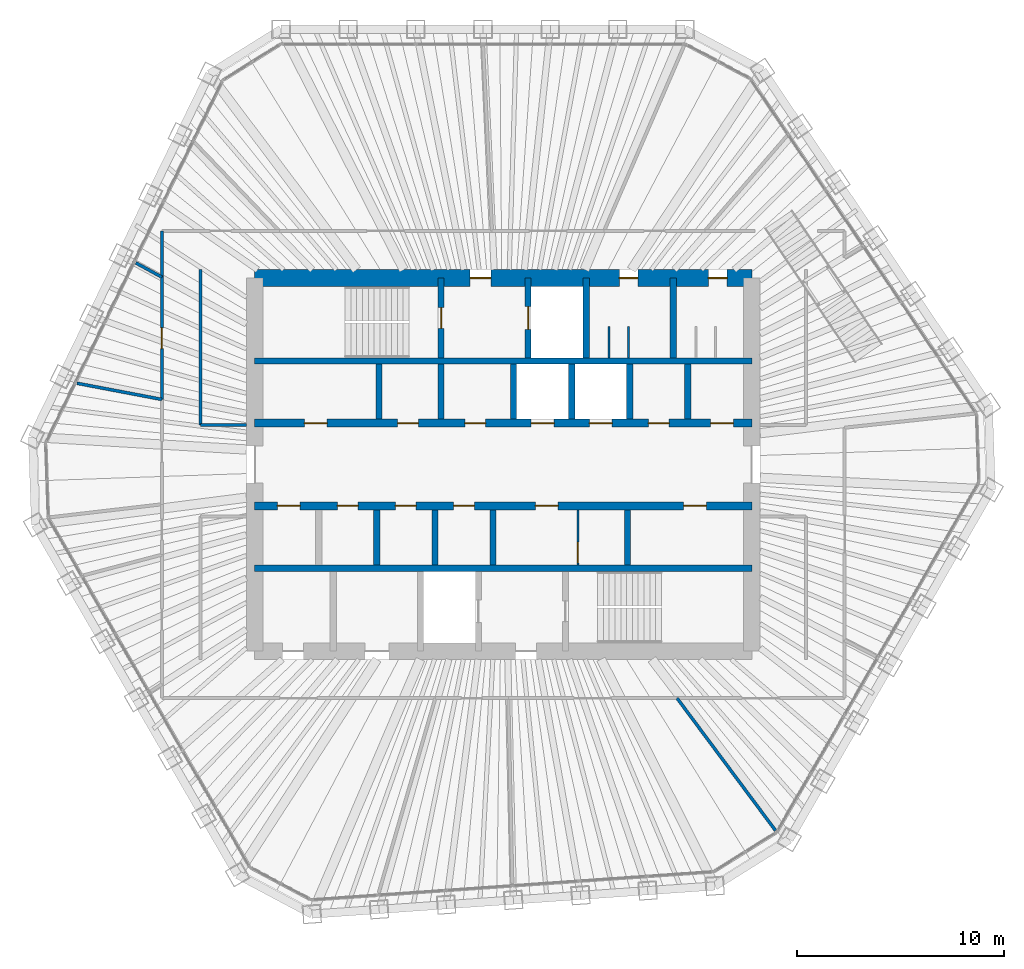
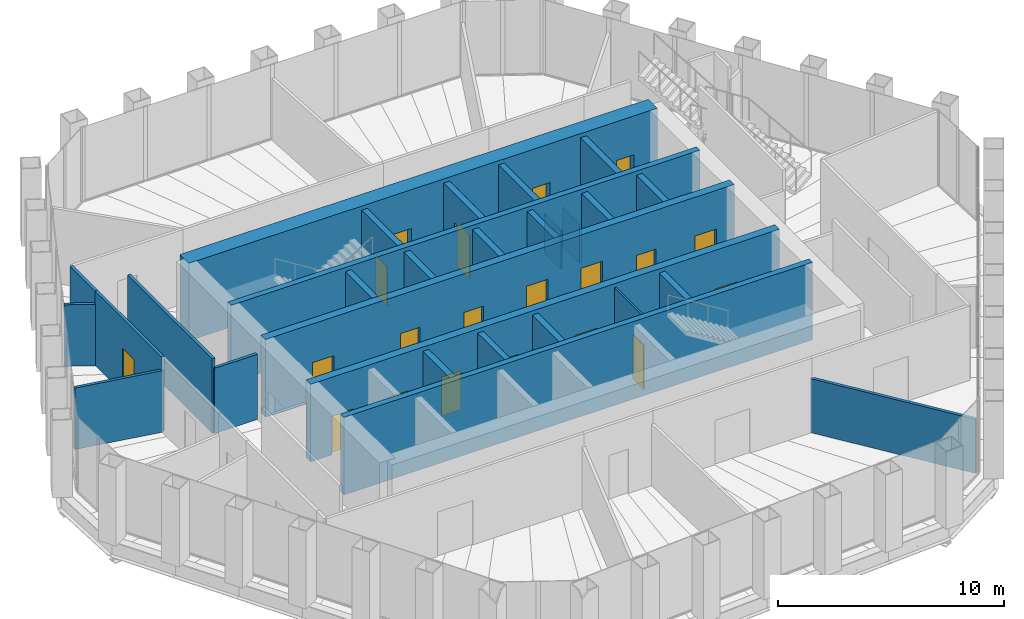
# One storey, part 12 of 14: 29 walls, 20 doors, 20 openings.
"""IFC4 building model written with IfcOpenShell, lengths in metres."""

from ifc_helpers import new_model, si_unit, direction, frame, frame_2d, origin, place, context, subcontext, project, spatial, rectangle, extrude, material, layer, layer_set, type_object, element, fill, save


model = new_model("IFC4")

# Units and contexts
model_context = context("Model", 3, precision=1e-05, world=origin(), true_north=direction((0.0, 1.0)))
body_context = subcontext(model_context, "Body", "Model", "MODEL_VIEW")
ifc_project = project(units=[si_unit("LENGTHUNIT", "METRE"), si_unit("AREAUNIT", "SQUARE_METRE"), si_unit("VOLUMEUNIT", "CUBIC_METRE"), si_unit("PLANEANGLEUNIT", "RADIAN"), si_unit("MASSUNIT", "GRAM", prefix="KILO")], contexts=[model_context])

# Site, building, storey
site_placement = place(None, origin())
site = spatial("IfcSite", under=ifc_project, at=site_placement, CompositionType="ELEMENT")
building_placement = place(site_placement, origin())
building = spatial("IfcBuilding", under=site, at=building_placement, Name="Qingtian Harvest Tower", CompositionType="ELEMENT")
storey_placement = place(building_placement, frame((0.0, 0.0, 325.0)))
storey = spatial("IfcBuildingStorey", under=building, at=storey_placement, Name="L72", CompositionType="ELEMENT", Elevation=325.0)

# Walls
ifc_material_1 = material(Name="Concrete fc' 70 MPa", Category="concrete")
ifc_layer_1 = layer(ifc_material_1, 0.300048828125)
ifc_layer_set_1 = layer_set([ifc_layer_1], Name="Core inner wall RC5 300")
wall_type_1 = type_object("IfcWallType", Name="Core inner wall RC5 300", PredefinedType="SHEAR", material=ifc_layer_set_1)
for number, where, z_axis, x_axis, name in (
    (1, (-12.0, 5.0, 0.0), (0.0, 0.0, 1.0), (1.0, 0.0, 0.0), "Core wall IN5 L72"),
    (2, (-12.0, -5.0, 0.0), (0.0, 0.0, 1.0), (1.0, 0.0, 0.0), "Core wall IS5 L72"),
):
    element("IfcWall", number, at=place(storey_placement, frame(where, z_axis=z_axis, x_axis=x_axis)), inside=storey, type_object=wall_type_1, Name=name, PredefinedType="SHEAR", context=body_context, shape_type="SweptSolid", body=[
        extrude(rectangle(XDim=24.0, YDim=0.300048828125, at=frame_2d((12.0, 0.0))), origin(), (0.0, 0.0, 1.0), 4.199951171875),
    ])

# Wall, openings, doors
ifc_material_2 = material(Name="Concrete fc' 70 MPa", Category="concrete")
ifc_layer_2 = layer(ifc_material_2, 0.39990234375)
ifc_layer_set_2 = layer_set([ifc_layer_2], Name="Core inner web RC6 400")
wall_type_2 = type_object("IfcWallType", Name="Core inner web RC6 400", PredefinedType="SHEAR", material=ifc_layer_set_2)
wall_1_placement = place(storey_placement, frame((-12.0, 2.0, 0.0), z_axis=(0.0, 0.0, 1.0), x_axis=(1.0, 0.0, 0.0)))
wall_1 = element("IfcWall", 3, at=wall_1_placement, inside=storey, type_object=wall_type_2, Name="Core wall IN2 L72", PredefinedType="SHEAR", context=body_context, shape_type="SweptSolid", body=[
    extrude(rectangle(XDim=24.0, YDim=0.39990234375, at=frame_2d((12.0, 0.0))), origin(), (0.0, 0.0, 1.0), 4.199951171875),
])
opening_1_placement = place(wall_1_placement, frame((2.39990234375, 0.0, 0.0)))
opening_1 = element("IfcOpeningElement", 4, at=opening_1_placement, cuts=wall_1, Name="Opening FD4", PredefinedType="OPENING", context=body_context, shape_type="SweptSolid", body=[
    extrude(rectangle(XDim=1.10009765625, YDim=2.10009765625, at=frame_2d((0.550048828125, 1.050048828125))), frame((0.0, 0.2099609375, 0.0), z_axis=(0.0, -1.0, 0.0), x_axis=(1.0, 0.0, 0.0)), (0.0, 0.0, 1.0), 0.419921875),
])
opening_2_placement = place(wall_1_placement, frame((22.0, 0.0, 0.0)))
opening_2 = element("IfcOpeningElement", 5, at=opening_2_placement, cuts=wall_1, Name="Opening FD4", PredefinedType="OPENING", context=body_context, shape_type="SweptSolid", body=[
    extrude(rectangle(XDim=1.10009765625, YDim=2.10009765625, at=frame_2d((0.550048828125, 1.050048828125))), frame((0.0, 0.2099609375, 0.0), z_axis=(0.0, -1.0, 0.0), x_axis=(1.0, 0.0, 0.0)), (0.0, 0.0, 1.0), 0.419921875),
])
opening_3_placement = place(wall_1_placement, frame((10.14990234375, 0.0, 0.0)))
opening_3 = element("IfcOpeningElement", 6, at=opening_3_placement, cuts=wall_1, Name="Opening FD1", PredefinedType="OPENING", context=body_context, shape_type="SweptSolid", body=[
    extrude(rectangle(XDim=1.0, YDim=2.10009765625, at=frame_2d((0.5, 1.050048828125))), frame((0.0, 0.2099609375, 0.0), z_axis=(0.0, -1.0, 0.0), x_axis=(1.0, 0.0, 0.0)), (0.0, 0.0, 1.0), 0.419921875),
])
opening_4_placement = place(wall_1_placement, frame((6.89990234375, 0.0, 0.0)))
opening_4 = element("IfcOpeningElement", 7, at=opening_4_placement, cuts=wall_1, Name="Opening FD1", PredefinedType="OPENING", context=body_context, shape_type="SweptSolid", body=[
    extrude(rectangle(XDim=1.0, YDim=2.10009765625, at=frame_2d((0.5, 1.050048828125))), frame((0.0, 0.2099609375, 0.0), z_axis=(0.0, -1.0, 0.0), x_axis=(1.0, 0.0, 0.0)), (0.0, 0.0, 1.0), 0.419921875),
])
opening_5_placement = place(wall_1_placement, frame((13.35009765625, 0.0, 0.0)))
opening_5 = element("IfcOpeningElement", 8, at=opening_5_placement, cuts=wall_1, Name="Opening LD1", PredefinedType="OPENING", context=body_context, shape_type="SweptSolid", body=[
    extrude(rectangle(XDim=1.10009765625, YDim=2.39990234375, at=frame_2d((0.550048828125, 1.199951171875))), frame((0.0, 0.2099609375, 0.0), z_axis=(0.0, -1.0, 0.0), x_axis=(1.0, 0.0, 0.0)), (0.0, 0.0, 1.0), 0.419921875),
])
opening_6_placement = place(wall_1_placement, frame((16.14990234375, 0.0, 0.0)))
opening_6 = element("IfcOpeningElement", 9, at=opening_6_placement, cuts=wall_1, Name="Opening LD1", PredefinedType="OPENING", context=body_context, shape_type="SweptSolid", body=[
    extrude(rectangle(XDim=1.10009765625, YDim=2.39990234375, at=frame_2d((0.550048828125, 1.199951171875))), frame((0.0, 0.2099609375, 0.0), z_axis=(0.0, -1.0, 0.0), x_axis=(1.0, 0.0, 0.0)), (0.0, 0.0, 1.0), 0.419921875),
])
opening_7_placement = place(wall_1_placement, frame((19.0, 0.0, 0.0)))
opening_7 = element("IfcOpeningElement", 10, at=opening_7_placement, cuts=wall_1, Name="Opening FD1", PredefinedType="OPENING", context=body_context, shape_type="SweptSolid", body=[
    extrude(rectangle(XDim=1.0, YDim=2.10009765625, at=frame_2d((0.5, 1.050048828125))), frame((0.0, 0.2099609375, 0.0), z_axis=(0.0, -1.0, 0.0), x_axis=(1.0, 0.0, 0.0)), (0.0, 0.0, 1.0), 0.419921875),
])
ifc_material_3 = material(Name="Steel-faced door leaf", Category="steel")
door_type_1 = type_object("IfcDoorType", Name="Fire door FD1 single 1 HR", OperationType="SINGLE_SWING_LEFT", PredefinedType="DOOR", material=ifc_material_3)
door_1_placement = place(opening_3_placement, origin())
door_1 = element("IfcDoor", 11, at=door_1_placement, inside=storey, type_object=door_type_1, Name="STA door L72", OperationType="SINGLE_SWING_RIGHT", OverallHeight=2.10009765625, OverallWidth=1.0, PredefinedType="DOOR", context=body_context, shape_type="SweptSolid", body=[
    extrude(rectangle(XDim=1.0, YDim=2.10009765625, at=frame_2d((0.5, 1.050048828125))), frame((0.0, 0.02490234375, 0.0), z_axis=(0.0, -1.0, 0.0), x_axis=(1.0, 0.0, 0.0)), (0.0, 0.0, 1.0), 0.050048828125),
])
fill(opening_3, door_1)
door_2_placement = place(opening_4_placement, origin())
door_2 = element("IfcDoor", 12, at=door_2_placement, inside=storey, type_object=door_type_1, Name="Store door L72", OperationType="SINGLE_SWING_LEFT", OverallHeight=2.10009765625, OverallWidth=1.0, PredefinedType="DOOR", context=body_context, shape_type="SweptSolid", body=[
    extrude(rectangle(XDim=1.0, YDim=2.10009765625, at=frame_2d((0.5, 1.050048828125))), frame((0.0, 0.02490234375, 0.0), z_axis=(0.0, -1.0, 0.0), x_axis=(1.0, 0.0, 0.0)), (0.0, 0.0, 1.0), 0.050048828125),
])
fill(opening_4, door_2)
door_3_placement = place(opening_7_placement, origin())
door_3 = element("IfcDoor", 13, at=door_3_placement, inside=storey, type_object=door_type_1, Name="Tool store door L72", OperationType="SINGLE_SWING_LEFT", OverallHeight=2.10009765625, OverallWidth=1.0, PredefinedType="DOOR", context=body_context, shape_type="SweptSolid", body=[
    extrude(rectangle(XDim=1.0, YDim=2.10009765625, at=frame_2d((0.5, 1.050048828125))), frame((0.0, 0.02490234375, 0.0), z_axis=(0.0, -1.0, 0.0), x_axis=(1.0, 0.0, 0.0)), (0.0, 0.0, 1.0), 0.050048828125),
])
fill(opening_7, door_3)
ifc_material_4 = material(Name="Steel-faced door leaf", Category="steel")
door_type_2 = type_object("IfcDoorType", Name="Fire door FD4 single 2 HR", OperationType="SINGLE_SWING_LEFT", PredefinedType="DOOR", material=ifc_material_4)
door_4_placement = place(opening_1_placement, origin())
door_4 = element("IfcDoor", 14, at=door_4_placement, inside=storey, type_object=door_type_2, Name="RA door L72", OperationType="SINGLE_SWING_RIGHT", OverallHeight=2.10009765625, OverallWidth=1.10009765625, PredefinedType="DOOR", context=body_context, shape_type="SweptSolid", body=[
    extrude(rectangle(XDim=1.10009765625, YDim=2.10009765625, at=frame_2d((0.550048828125, 1.050048828125))), frame((0.0, 0.02490234375, 0.0), z_axis=(0.0, -1.0, 0.0), x_axis=(1.0, 0.0, 0.0)), (0.0, 0.0, 1.0), 0.050048828125),
])
fill(opening_1, door_4)
door_5_placement = place(opening_2_placement, origin())
door_5 = element("IfcDoor", 15, at=door_5_placement, inside=storey, type_object=door_type_2, Name="AHU door L72", OperationType="SINGLE_SWING_LEFT", OverallHeight=2.10009765625, OverallWidth=1.10009765625, PredefinedType="DOOR", context=body_context, shape_type="SweptSolid", body=[
    extrude(rectangle(XDim=1.10009765625, YDim=2.10009765625, at=frame_2d((0.550048828125, 1.050048828125))), frame((0.0, 0.02490234375, 0.0), z_axis=(0.0, -1.0, 0.0), x_axis=(1.0, 0.0, 0.0)), (0.0, 0.0, 1.0), 0.050048828125),
])
fill(opening_2, door_5)
ifc_material_5 = material(Name="Stainless steel lift landing door", Category="steel")
door_type_3 = type_object("IfcDoorType", Name="Lift landing door LD1 1 HR", OperationType="DOUBLE_DOOR_SLIDING", PredefinedType="DOOR", material=ifc_material_5)
door_6_placement = place(opening_5_placement, origin())
door_6 = element("IfcDoor", 16, at=door_6_placement, inside=storey, type_object=door_type_3, Name="PLD1 landing door L72", OperationType="DOUBLE_DOOR_SLIDING", OverallHeight=2.39990234375, OverallWidth=1.10009765625, PredefinedType="DOOR", context=body_context, shape_type="SweptSolid", body=[
    extrude(rectangle(XDim=1.10009765625, YDim=2.39990234375, at=frame_2d((0.550048828125, 1.199951171875))), frame((0.0, 0.02490234375, 0.0), z_axis=(0.0, -1.0, 0.0), x_axis=(1.0, 0.0, 0.0)), (0.0, 0.0, 1.0), 0.050048828125),
])
fill(opening_5, door_6)
door_7_placement = place(opening_6_placement, origin())
door_7 = element("IfcDoor", 17, at=door_7_placement, inside=storey, type_object=door_type_3, Name="PLD2 landing door L72", OperationType="DOUBLE_DOOR_SLIDING", OverallHeight=2.39990234375, OverallWidth=1.10009765625, PredefinedType="DOOR", context=body_context, shape_type="SweptSolid", body=[
    extrude(rectangle(XDim=1.10009765625, YDim=2.39990234375, at=frame_2d((0.550048828125, 1.199951171875))), frame((0.0, 0.02490234375, 0.0), z_axis=(0.0, -1.0, 0.0), x_axis=(1.0, 0.0, 0.0)), (0.0, 0.0, 1.0), 0.050048828125),
])
fill(opening_6, door_7)

wall_2_placement = place(storey_placement, frame((-12.0, -2.0, 0.0), z_axis=(0.0, 0.0, 1.0), x_axis=(1.0, 0.0, 0.0)))
wall_2 = element("IfcWall", 18, at=wall_2_placement, inside=storey, type_object=wall_type_2, Name="Core wall IS2 L72", PredefinedType="SHEAR", context=body_context, shape_type="SweptSolid", body=[
    extrude(rectangle(XDim=24.0, YDim=0.39990234375, at=frame_2d((12.0, 0.0))), origin(), (0.0, 0.0, 1.0), 4.199951171875),
])
opening_8_placement = place(wall_2_placement, frame((1.10009765625, 0.0, 0.0)))
opening_8 = element("IfcOpeningElement", 19, at=opening_8_placement, cuts=wall_2, Name="Opening FD4", PredefinedType="OPENING", context=body_context, shape_type="SweptSolid", body=[
    extrude(rectangle(XDim=1.10009765625, YDim=2.10009765625, at=frame_2d((0.550048828125, 1.050048828125))), frame((0.0, 0.2099609375, 0.0), z_axis=(0.0, -1.0, 0.0), x_axis=(1.0, 0.0, 0.0)), (0.0, 0.0, 1.0), 0.419921875),
])
opening_9_placement = place(wall_2_placement, frame((13.550048828125, 0.0, 0.0)))
opening_9 = element("IfcOpeningElement", 20, at=opening_9_placement, cuts=wall_2, Name="Opening FD4", PredefinedType="OPENING", context=body_context, shape_type="SweptSolid", body=[
    extrude(rectangle(XDim=1.10009765625, YDim=2.10009765625, at=frame_2d((0.550048828125, 1.050048828125))), frame((0.0, 0.2099609375, 0.0), z_axis=(0.0, -1.0, 0.0), x_axis=(1.0, 0.0, 0.0)), (0.0, 0.0, 1.0), 0.419921875),
])
opening_10_placement = place(wall_2_placement, frame((20.699951171875, 0.0, 0.0)))
opening_10 = element("IfcOpeningElement", 21, at=opening_10_placement, cuts=wall_2, Name="Opening FD4", PredefinedType="OPENING", context=body_context, shape_type="SweptSolid", body=[
    extrude(rectangle(XDim=1.10009765625, YDim=2.10009765625, at=frame_2d((0.550048828125, 1.050048828125))), frame((0.0, 0.2099609375, 0.0), z_axis=(0.0, -1.0, 0.0), x_axis=(1.0, 0.0, 0.0)), (0.0, 0.0, 1.0), 0.419921875),
])
opening_11_placement = place(wall_2_placement, frame((4.0, 0.0, 0.0)))
opening_11 = element("IfcOpeningElement", 22, at=opening_11_placement, cuts=wall_2, Name="Opening FD1", PredefinedType="OPENING", context=body_context, shape_type="SweptSolid", body=[
    extrude(rectangle(XDim=1.0, YDim=2.10009765625, at=frame_2d((0.5, 1.050048828125))), frame((0.0, 0.2099609375, 0.0), z_axis=(0.0, -1.0, 0.0), x_axis=(1.0, 0.0, 0.0)), (0.0, 0.0, 1.0), 0.419921875),
])
opening_12_placement = place(wall_2_placement, frame((6.800048828125, 0.0, 0.0)))
opening_12 = element("IfcOpeningElement", 23, at=opening_12_placement, cuts=wall_2, Name="Opening FD1", PredefinedType="OPENING", context=body_context, shape_type="SweptSolid", body=[
    extrude(rectangle(XDim=1.0, YDim=2.10009765625, at=frame_2d((0.5, 1.050048828125))), frame((0.0, 0.2099609375, 0.0), z_axis=(0.0, -1.0, 0.0), x_axis=(1.0, 0.0, 0.0)), (0.0, 0.0, 1.0), 0.419921875),
])
opening_13_placement = place(wall_2_placement, frame((9.60009765625, 0.0, 0.0)))
opening_13 = element("IfcOpeningElement", 24, at=opening_13_placement, cuts=wall_2, Name="Opening FD1", PredefinedType="OPENING", context=body_context, shape_type="SweptSolid", body=[
    extrude(rectangle(XDim=1.0, YDim=2.10009765625, at=frame_2d((0.5, 1.050048828125))), frame((0.0, 0.2099609375, 0.0), z_axis=(0.0, -1.0, 0.0), x_axis=(1.0, 0.0, 0.0)), (0.0, 0.0, 1.0), 0.419921875),
])
door_8_placement = place(opening_11_placement, origin())
door_8 = element("IfcDoor", 25, at=door_8_placement, inside=storey, type_object=door_type_1, Name="Staff WC door L72", OperationType="SINGLE_SWING_LEFT", OverallHeight=2.10009765625, OverallWidth=1.0, PredefinedType="DOOR", context=body_context, shape_type="SweptSolid", body=[
    extrude(rectangle(XDim=1.0, YDim=2.10009765625, at=frame_2d((0.5, 1.050048828125))), frame((0.0, 0.02490234375, 0.0), z_axis=(0.0, -1.0, 0.0), x_axis=(1.0, 0.0, 0.0)), (0.0, 0.0, 1.0), 0.050048828125),
])
fill(opening_11, door_8)
door_9_placement = place(opening_12_placement, origin())
door_9 = element("IfcDoor", 26, at=door_9_placement, inside=storey, type_object=door_type_1, Name="Tea point door L72", OperationType="SINGLE_SWING_LEFT", OverallHeight=2.10009765625, OverallWidth=1.0, PredefinedType="DOOR", context=body_context, shape_type="SweptSolid", body=[
    extrude(rectangle(XDim=1.0, YDim=2.10009765625, at=frame_2d((0.5, 1.050048828125))), frame((0.0, 0.02490234375, 0.0), z_axis=(0.0, -1.0, 0.0), x_axis=(1.0, 0.0, 0.0)), (0.0, 0.0, 1.0), 0.050048828125),
])
fill(opening_12, door_9)
door_10_placement = place(opening_13_placement, origin())
door_10 = element("IfcDoor", 27, at=door_10_placement, inside=storey, type_object=door_type_1, Name="Housekeeping store door L72", OperationType="SINGLE_SWING_LEFT", OverallHeight=2.10009765625, OverallWidth=1.0, PredefinedType="DOOR", context=body_context, shape_type="SweptSolid", body=[
    extrude(rectangle(XDim=1.0, YDim=2.10009765625, at=frame_2d((0.5, 1.050048828125))), frame((0.0, 0.02490234375, 0.0), z_axis=(0.0, -1.0, 0.0), x_axis=(1.0, 0.0, 0.0)), (0.0, 0.0, 1.0), 0.050048828125),
])
fill(opening_13, door_10)
door_11_placement = place(opening_8_placement, origin())
door_11 = element("IfcDoor", 28, at=door_11_placement, inside=storey, type_object=door_type_2, Name="RB door L72", OperationType="SINGLE_SWING_RIGHT", OverallHeight=2.10009765625, OverallWidth=1.10009765625, PredefinedType="DOOR", context=body_context, shape_type="SweptSolid", body=[
    extrude(rectangle(XDim=1.10009765625, YDim=2.10009765625, at=frame_2d((0.550048828125, 1.050048828125))), frame((0.0, 0.02490234375, 0.0), z_axis=(0.0, -1.0, 0.0), x_axis=(1.0, 0.0, 0.0)), (0.0, 0.0, 1.0), 0.050048828125),
])
fill(opening_8, door_11)
door_12_placement = place(opening_9_placement, origin())
door_12 = element("IfcDoor", 29, at=door_12_placement, inside=storey, type_object=door_type_2, Name="ELEC door L72", OperationType="SINGLE_SWING_RIGHT", OverallHeight=2.10009765625, OverallWidth=1.10009765625, PredefinedType="DOOR", context=body_context, shape_type="SweptSolid", body=[
    extrude(rectangle(XDim=1.10009765625, YDim=2.10009765625, at=frame_2d((0.550048828125, 1.050048828125))), frame((0.0, 0.02490234375, 0.0), z_axis=(0.0, -1.0, 0.0), x_axis=(1.0, 0.0, 0.0)), (0.0, 0.0, 1.0), 0.050048828125),
])
fill(opening_9, door_12)
door_13_placement = place(opening_10_placement, origin())
door_13 = element("IfcDoor", 30, at=door_13_placement, inside=storey, type_object=door_type_2, Name="DUCT door L72", OperationType="SINGLE_SWING_LEFT", OverallHeight=2.10009765625, OverallWidth=1.10009765625, PredefinedType="DOOR", context=body_context, shape_type="SweptSolid", body=[
    extrude(rectangle(XDim=1.10009765625, YDim=2.10009765625, at=frame_2d((0.550048828125, 1.050048828125))), frame((0.0, 0.02490234375, 0.0), z_axis=(0.0, -1.0, 0.0), x_axis=(1.0, 0.0, 0.0)), (0.0, 0.0, 1.0), 0.050048828125),
])
fill(opening_10, door_13)

# Wall, opening, door
ifc_material_6 = material(Name="Precast concrete shaft panel", Category="concrete")
ifc_layer_3 = layer(ifc_material_6, 0.300048828125)
ifc_layer_set_3 = layer_set([ifc_layer_3], Name="Core shaft partition SW1 300")
wall_type_3 = type_object("IfcWallType", Name="Core shaft partition SW1 300", PredefinedType="PARTITIONING", material=ifc_layer_set_3)
wall_3_placement = place(storey_placement, frame((-3.0, 5.14990234375, 0.0), z_axis=(0.0, 0.0, 1.0), x_axis=(0.0, 1.0, 0.0)))
wall_3 = element("IfcWall", 31, at=wall_3_placement, inside=storey, type_object=wall_type_3, Name="Core shaft partition XN1 L72", PredefinedType="PARTITIONING", context=body_context, shape_type="SweptSolid", body=[
    extrude(rectangle(XDim=3.85009765625, YDim=0.300048828125, at=frame_2d((1.925048828125, 0.0))), origin(), (0.0, 0.0, 1.0), 3.97998046875),
])
opening_14_placement = place(wall_3_placement, frame((1.425048828125, 0.0, 0.0)))
opening_14 = element("IfcOpeningElement", 32, at=opening_14_placement, cuts=wall_3, Name="Opening FD1", PredefinedType="OPENING", context=body_context, shape_type="SweptSolid", body=[
    extrude(rectangle(XDim=1.0, YDim=2.10009765625, at=frame_2d((0.5, 1.050048828125))), frame((0.0, 0.159912109375, 0.0), z_axis=(0.0, -1.0, 0.0), x_axis=(1.0, 0.0, 0.0)), (0.0, 0.0, 1.0), 0.320068359375),
])
door_14_placement = place(opening_14_placement, origin())
door_14 = element("IfcDoor", 33, at=door_14_placement, inside=storey, type_object=door_type_1, Name="S1 door L72", OperationType="SINGLE_SWING_LEFT", OverallHeight=2.10009765625, OverallWidth=1.0, PredefinedType="DOOR", context=body_context, shape_type="SweptSolid", body=[
    extrude(rectangle(XDim=1.0, YDim=2.10009765625, at=frame_2d((0.5, 1.050048828125))), frame((0.0, 0.02490234375, 0.0), z_axis=(0.0, -1.0, 0.0), x_axis=(1.0, 0.0, 0.0)), (0.0, 0.0, 1.0), 0.050048828125),
])
fill(opening_14, door_14)

wall_4_placement = place(storey_placement, frame((1.199951171875, 5.14990234375, 0.0), z_axis=(0.0, 0.0, 1.0), x_axis=(0.0, 1.0, 0.0)))
wall_4 = element("IfcWall", 34, at=wall_4_placement, inside=storey, type_object=wall_type_3, Name="Core shaft partition XN2 L72", PredefinedType="PARTITIONING", context=body_context, shape_type="SweptSolid", body=[
    extrude(rectangle(XDim=3.85009765625, YDim=0.300048828125, at=frame_2d((1.925048828125, 0.0))), origin(), (0.0, 0.0, 1.0), 3.97998046875),
])
opening_15_placement = place(wall_4_placement, frame((1.375, 0.0, 0.0)))
opening_15 = element("IfcOpeningElement", 35, at=opening_15_placement, cuts=wall_4, Name="Opening LD1", PredefinedType="OPENING", context=body_context, shape_type="SweptSolid", body=[
    extrude(rectangle(XDim=1.10009765625, YDim=2.39990234375, at=frame_2d((0.550048828125, 1.199951171875))), frame((0.0, 0.159912109375, 0.0), z_axis=(0.0, -1.0, 0.0), x_axis=(1.0, 0.0, 0.0)), (0.0, 0.0, 1.0), 0.320068359375),
])
door_15_placement = place(opening_15_placement, origin())
door_15 = element("IfcDoor", 36, at=door_15_placement, inside=storey, type_object=door_type_3, Name="FL1 landing door L72", OperationType="DOUBLE_DOOR_SLIDING", OverallHeight=2.39990234375, OverallWidth=1.10009765625, PredefinedType="DOOR", context=body_context, shape_type="SweptSolid", body=[
    extrude(rectangle(XDim=1.10009765625, YDim=2.39990234375, at=frame_2d((0.550048828125, 1.199951171875))), frame((0.0, 0.02490234375, 0.0), z_axis=(0.0, -1.0, 0.0), x_axis=(1.0, 0.0, 0.0)), (0.0, 0.0, 1.0), 0.050048828125),
])
fill(opening_15, door_15)

# Walls
for number, where, z_axis, x_axis, name in (
    (37, (4.0, 5.14990234375, 0.0), (0.0, 0.0, 1.0), (0.0, 1.0, 0.0), "Core shaft partition XN3 L72"),
    (38, (8.199951171875, 5.14990234375, 0.0), (0.0, 0.0, 1.0), (0.0, 1.0, 0.0), "Core shaft partition XN4 L72"),
):
    element("IfcWall", number, at=place(storey_placement, frame(where, z_axis=z_axis, x_axis=x_axis)), inside=storey, type_object=wall_type_3, Name=name, PredefinedType="PARTITIONING", context=body_context, shape_type="SweptSolid", body=[
        extrude(rectangle(XDim=3.85009765625, YDim=0.300048828125, at=frame_2d((1.925048828125, 0.0))), origin(), (0.0, 0.0, 1.0), 3.97998046875),
    ])
for number, where, z_axis, x_axis, name in (
    (39, (-6.0, 2.199951171875, 0.0), (0.0, 0.0, 1.0), (0.0, 1.0, 0.0), "Core shaft partition XA1 L72"),
    (40, (-3.0, 2.199951171875, 0.0), (0.0, 0.0, 1.0), (0.0, 1.0, 0.0), "Core shaft partition XA2 L72"),
    (41, (0.5, 2.199951171875, 0.0), (0.0, 0.0, 1.0), (0.0, 1.0, 0.0), "Core shaft partition XA3 L72"),
    (42, (3.300048828125, 2.199951171875, 0.0), (0.0, 0.0, 1.0), (0.0, 1.0, 0.0), "Core shaft partition XA4 L72"),
    (43, (6.10009765625, 2.199951171875, 0.0), (0.0, 0.0, 1.0), (0.0, 1.0, 0.0), "Core shaft partition XA5 L72"),
    (44, (8.89990234375, 2.199951171875, 0.0), (0.0, 0.0, 1.0), (0.0, 1.0, 0.0), "Core shaft partition XA6 L72"),
    (45, (-6.10009765625, -4.85009765625, 0.0), (0.0, 0.0, 1.0), (0.0, 1.0, 0.0), "Core shaft partition XB2 L72"),
    (46, (-3.300048828125, -4.85009765625, 0.0), (0.0, 0.0, 1.0), (0.0, 1.0, 0.0), "Core shaft partition XB3 L72"),
    (47, (-0.5, -4.85009765625, 0.0), (0.0, 0.0, 1.0), (0.0, 1.0, 0.0), "Core shaft partition XB4 L72"),
    (48, (6.0, -4.85009765625, 0.0), (0.0, 0.0, 1.0), (0.0, 1.0, 0.0), "Core shaft partition XB5 L72"),
):
    element("IfcWall", number, at=place(storey_placement, frame(where, z_axis=z_axis, x_axis=x_axis)), inside=storey, type_object=wall_type_3, Name=name, PredefinedType="PARTITIONING", context=body_context, shape_type="SweptSolid", body=[
        extrude(rectangle(XDim=2.650146484375, YDim=0.300048828125, at=frame_2d((1.3251953125, 0.0))), origin(), (0.0, 0.0, 1.0), 3.97998046875),
    ])

# Wall, openings, doors
ifc_material_7 = material(Name="Concrete fc' 70 MPa", Category="concrete")
ifc_layer_4 = layer(ifc_material_7, 0.800048828125)
ifc_layer_set_4 = layer_set([ifc_layer_4], Name="Core wall RC4 800")
wall_type_4 = type_object("IfcWallType", Name="Core wall RC4 800", PredefinedType="SHEAR", material=ifc_layer_set_4)
wall_5_placement = place(storey_placement, frame((-12.0, 9.0, 0.0), z_axis=(0.0, 0.0, 1.0), x_axis=(1.0, 0.0, 0.0)))
wall_5 = element("IfcWall", 49, at=wall_5_placement, inside=storey, type_object=wall_type_4, Name="Core wall CN L72", PredefinedType="SHEAR", context=body_context, shape_type="SweptSolid", body=[
    extrude(rectangle(XDim=24.0, YDim=0.800048828125, at=frame_2d((12.0, 0.0))), origin(), (0.0, 0.0, 1.0), 4.199951171875),
])
opening_16_placement = place(wall_5_placement, frame((10.39990234375, 0.0, 0.0)))
opening_16 = element("IfcOpeningElement", 50, at=opening_16_placement, cuts=wall_5, Name="Opening FD1", PredefinedType="OPENING", context=body_context, shape_type="SweptSolid", body=[
    extrude(rectangle(XDim=1.0, YDim=2.10009765625, at=frame_2d((0.5, 1.050048828125))), frame((0.0, 0.409912109375, 0.0), z_axis=(0.0, -1.0, 0.0), x_axis=(1.0, 0.0, 0.0)), (0.0, 0.0, 1.0), 0.820068359375),
])
opening_17_placement = place(wall_5_placement, frame((17.60009765625, 0.0, 0.0)))
opening_17 = element("IfcOpeningElement", 51, at=opening_17_placement, cuts=wall_5, Name="Opening D1", PredefinedType="OPENING", context=body_context, shape_type="SweptSolid", body=[
    extrude(rectangle(XDim=0.89990234375, YDim=2.10009765625, at=frame_2d((0.449951171875, 1.050048828125))), frame((0.0, 0.409912109375, 0.0), z_axis=(0.0, -1.0, 0.0), x_axis=(1.0, 0.0, 0.0)), (0.0, 0.0, 1.0), 0.820068359375),
])
opening_18_placement = place(wall_5_placement, frame((21.89990234375, 0.0, 0.0)))
opening_18 = element("IfcOpeningElement", 52, at=opening_18_placement, cuts=wall_5, Name="Opening D1", PredefinedType="OPENING", context=body_context, shape_type="SweptSolid", body=[
    extrude(rectangle(XDim=0.89990234375, YDim=2.10009765625, at=frame_2d((0.449951171875, 1.050048828125))), frame((0.0, 0.409912109375, 0.0), z_axis=(0.0, -1.0, 0.0), x_axis=(1.0, 0.0, 0.0)), (0.0, 0.0, 1.0), 0.820068359375),
])
door_16_placement = place(opening_16_placement, origin())
door_16 = element("IfcDoor", 53, at=door_16_placement, inside=storey, type_object=door_type_1, Name="V1 door L72", OperationType="SINGLE_SWING_RIGHT", OverallHeight=2.10009765625, OverallWidth=1.0, PredefinedType="DOOR", context=body_context, shape_type="SweptSolid", body=[
    extrude(rectangle(XDim=1.0, YDim=2.10009765625, at=frame_2d((0.5, 1.050048828125))), frame((0.0, 0.02490234375, 0.0), z_axis=(0.0, -1.0, 0.0), x_axis=(1.0, 0.0, 0.0)), (0.0, 0.0, 1.0), 0.050048828125),
])
fill(opening_16, door_16)
ifc_material_8 = material(Name="Laminated timber door leaf", Category="wood")
door_type_4 = type_object("IfcDoorType", Name="Toilet door D1 single", OperationType="SINGLE_SWING_LEFT", PredefinedType="DOOR", material=ifc_material_8)
door_17_placement = place(opening_17_placement, origin())
door_17 = element("IfcDoor", 54, at=door_17_placement, inside=storey, type_object=door_type_4, Name="WCM door L72", OperationType="SINGLE_SWING_RIGHT", OverallHeight=2.10009765625, OverallWidth=0.89990234375, PredefinedType="DOOR", context=body_context, shape_type="SweptSolid", body=[
    extrude(rectangle(XDim=0.89990234375, YDim=2.10009765625, at=frame_2d((0.449951171875, 1.050048828125))), frame((0.0, 0.02490234375, 0.0), z_axis=(0.0, -1.0, 0.0), x_axis=(1.0, 0.0, 0.0)), (0.0, 0.0, 1.0), 0.050048828125),
])
fill(opening_17, door_17)
door_18_placement = place(opening_18_placement, origin())
door_18 = element("IfcDoor", 55, at=door_18_placement, inside=storey, type_object=door_type_4, Name="WCF door L72", OperationType="SINGLE_SWING_RIGHT", OverallHeight=2.10009765625, OverallWidth=0.89990234375, PredefinedType="DOOR", context=body_context, shape_type="SweptSolid", body=[
    extrude(rectangle(XDim=0.89990234375, YDim=2.10009765625, at=frame_2d((0.449951171875, 1.050048828125))), frame((0.0, 0.02490234375, 0.0), z_axis=(0.0, -1.0, 0.0), x_axis=(1.0, 0.0, 0.0)), (0.0, 0.0, 1.0), 0.050048828125),
])
fill(opening_18, door_18)

# Walls
ifc_material_9 = material(Name="Gypsum board on steel studs", Category="steel")
ifc_layer_5 = layer(ifc_material_9, 0.14990234375)
ifc_layer_set_5 = layer_set([ifc_layer_5], Name="Partition PT1 150")
wall_type_5 = type_object("IfcWallType", Name="Partition PT1 150", PredefinedType="PARTITIONING", material=ifc_layer_set_5)
wall_6_placement = place(storey_placement, frame((13.1376953125, -17.661376953125, 0.0), z_axis=(0.0, 0.0, 1.0), x_axis=(-0.596829877953, 0.802367806422, 0.0)))
element("IfcWall", 56, at=wall_6_placement, inside=storey, type_object=wall_type_5, Name="Conference room wall L72", PredefinedType="PARTITIONING", context=body_context, shape_type="SweptSolid", body=[
    extrude(rectangle(XDim=7.95947265625, YDim=0.14990234375, at=frame_2d((3.979736328125, 0.0))), origin(), (0.0, 0.0, 1.0), 2.929931640625),
])
wall_7_placement = place(storey_placement, frame((-20.566162109375, 3.9208984375, 0.0), z_axis=(0.0, 0.0, 1.0), x_axis=(0.982304172816, -0.187292584123, 0.0)))
element("IfcWall", 57, at=wall_7_placement, inside=storey, type_object=wall_type_5, Name="Workplace zone wall L72", PredefinedType="PARTITIONING", context=body_context, shape_type="SweptSolid", body=[
    extrude(rectangle(XDim=4.164794921875, YDim=0.14990234375, at=frame_2d((2.08251953125, 0.0))), origin(), (0.0, 0.0, 1.0), 3.330078125),
])

# Wall, opening, door
wall_8_placement = place(storey_placement, frame((-16.47509765625, 3.140869140625, 0.0), z_axis=(0.0, 0.0, 1.0), x_axis=(0.0, 1.0, 0.0)))
wall_8 = element("IfcWall", 58, at=wall_8_placement, inside=storey, type_object=wall_type_5, Name="Workplace zone wall L72", PredefinedType="PARTITIONING", context=body_context, shape_type="SweptSolid", body=[
    extrude(rectangle(XDim=5.90087890625, YDim=0.14990234375, at=frame_2d((2.950439453125, 0.0))), origin(), (0.0, 0.0, 1.0), 4.030029296875),
])
opening_19_placement = place(wall_8_placement, frame((2.450439453125, 0.0, 0.0)))
opening_19 = element("IfcOpeningElement", 59, at=opening_19_placement, cuts=wall_8, Name="Opening D2", PredefinedType="OPENING", context=body_context, shape_type="SweptSolid", body=[
    extrude(rectangle(XDim=1.0, YDim=2.39990234375, at=frame_2d((0.5, 1.199951171875))), frame((0.0, 0.0849609375, 0.0), z_axis=(0.0, -1.0, 0.0), x_axis=(1.0, 0.0, 0.0)), (0.0, 0.0, 1.0), 0.169921875),
])
ifc_material_10 = material(Name="Laminated timber door leaf", Category="wood")
door_type_5 = type_object("IfcDoorType", Name="Room door D2 single", OperationType="SINGLE_SWING_LEFT", PredefinedType="DOOR", material=ifc_material_10)
door_19_placement = place(opening_19_placement, origin())
door_19 = element("IfcDoor", 60, at=door_19_placement, inside=storey, type_object=door_type_5, Name="Workplace zone door L72", OperationType="SINGLE_SWING_RIGHT", OverallHeight=2.39990234375, OverallWidth=1.0, PredefinedType="DOOR", context=body_context, shape_type="SweptSolid", body=[
    extrude(rectangle(XDim=1.0, YDim=2.39990234375, at=frame_2d((0.5, 1.199951171875))), frame((0.0, 0.02490234375, 0.0), z_axis=(0.0, -1.0, 0.0), x_axis=(1.0, 0.0, 0.0)), (0.0, 0.0, 1.0), 0.050048828125),
])
fill(opening_19, door_19)

# Walls
wall_9_placement = place(storey_placement, frame((-17.72900390625, 9.72998046875, 0.0), z_axis=(0.0, 0.0, 1.0), x_axis=(0.876633607687, -0.481158516369, 0.0)))
element("IfcWall", 61, at=wall_9_placement, inside=storey, type_object=wall_type_5, Name="Pantry wall L72", PredefinedType="PARTITIONING", context=body_context, shape_type="SweptSolid", body=[
    extrude(rectangle(XDim=1.430419921875, YDim=0.14990234375, at=frame_2d((0.71533203125, 0.0))), origin(), (0.0, 0.0, 1.0), 3.330078125),
])
wall_10_placement = place(storey_placement, frame((-16.47509765625, 9.041748046875, 0.0), z_axis=(0.0, 0.0, 1.0), x_axis=(0.0, 1.0, 0.0)))
element("IfcWall", 62, at=wall_10_placement, inside=storey, type_object=wall_type_5, Name="Pantry wall L72", PredefinedType="PARTITIONING", context=body_context, shape_type="SweptSolid", body=[
    extrude(rectangle(XDim=2.233154296875, YDim=0.14990234375, at=frame_2d((1.11669921875, 0.0))), origin(), (0.0, 0.0, 1.0), 4.030029296875),
])
wall_11_placement = place(storey_placement, frame((-14.60009765625, 1.89990234375, 0.0), z_axis=(0.0, 0.0, 1.0), x_axis=(0.0, 1.0, 0.0)))
element("IfcWall", 63, at=wall_11_placement, inside=storey, type_object=wall_type_5, Name="Breakout space wall L72", PredefinedType="PARTITIONING", context=body_context, shape_type="SweptSolid", body=[
    extrude(rectangle(XDim=7.5, YDim=0.14990234375, at=frame_2d((3.75, 0.0))), origin(), (0.0, 0.0, 1.0), 4.030029296875),
])
wall_12_placement = place(storey_placement, frame((-12.39990234375, 1.89990234375, 0.0), z_axis=(0.0, 0.0, 1.0), x_axis=(-1.0, 0.0, 0.0)))
element("IfcWall", 64, at=wall_12_placement, inside=storey, type_object=wall_type_5, Name="Breakout space wall L72", PredefinedType="PARTITIONING", context=body_context, shape_type="SweptSolid", body=[
    extrude(rectangle(XDim=2.2001953125, YDim=0.14990234375, at=frame_2d((1.10009765625, 0.0))), origin(), (0.0, 0.0, 1.0), 3.530029296875),
])

# Wall, opening, door
ifc_material_11 = material(Name="Concrete block partition", Category="concrete")
ifc_layer_6 = layer(ifc_material_11, 0.10009765625)
ifc_layer_set_6 = layer_set([ifc_layer_6], Name="Store partition PT3 100")
wall_type_6 = type_object("IfcWallType", Name="Store partition PT3 100", PredefinedType="PARTITIONING", material=ifc_layer_set_6)
wall_13_placement = place(storey_placement, frame((3.60009765625, -4.85009765625, 0.0), z_axis=(0.0, 0.0, 1.0), x_axis=(0.0, 1.0, 0.0)))
wall_13 = element("IfcWall", 65, at=wall_13_placement, inside=storey, type_object=wall_type_6, Name="Comms room wall L72", PredefinedType="PARTITIONING", context=body_context, shape_type="SweptSolid", body=[
    extrude(rectangle(XDim=2.650146484375, YDim=0.10009765625, at=frame_2d((1.3251953125, 0.0))), origin(), (0.0, 0.0, 1.0), 3.97998046875),
])
opening_20_placement = place(wall_13_placement, frame((0.10009765625, 0.0, 0.0)))
opening_20 = element("IfcOpeningElement", 66, at=opening_20_placement, cuts=wall_13, Name="Opening D2", PredefinedType="OPENING", context=body_context, shape_type="SweptSolid", body=[
    extrude(rectangle(XDim=1.0, YDim=2.39990234375, at=frame_2d((0.5, 1.199951171875))), frame((0.0, 0.06005859375, 0.0), z_axis=(0.0, -1.0, 0.0), x_axis=(1.0, 0.0, 0.0)), (0.0, 0.0, 1.0), 0.1201171875),
])
door_20_placement = place(opening_20_placement, origin())
door_20 = element("IfcDoor", 67, at=door_20_placement, inside=storey, type_object=door_type_5, Name="Comms room door L72", OperationType="SINGLE_SWING_LEFT", OverallHeight=2.39990234375, OverallWidth=1.0, PredefinedType="DOOR", context=body_context, shape_type="SweptSolid", body=[
    extrude(rectangle(XDim=1.0, YDim=2.39990234375, at=frame_2d((0.5, 1.199951171875))), frame((0.0, 0.02490234375, 0.0), z_axis=(0.0, -1.0, 0.0), x_axis=(1.0, 0.0, 0.0)), (0.0, 0.0, 1.0), 0.050048828125),
])
fill(opening_20, door_20)

# Walls
ifc_material_12 = material(Name="Compact laminate cubicle partition", Category="plastic")
ifc_layer_7 = layer(ifc_material_12, 0.10009765625)
ifc_layer_set_7 = layer_set([ifc_layer_7], Name="WC cubicle partition WP1 100")
wall_type_7 = type_object("IfcWallType", Name="WC cubicle partition WP1 100", PredefinedType="PARTITIONING", material=ifc_layer_set_7)
for number, where, z_axis, x_axis, name in (
    (68, (5.10009765625, 5.14990234375, 0.0), (0.0, 0.0, 1.0), (0.0, 1.0, 0.0), "WC cubicle partition WCM L72"),
    (69, (6.050048828125, 5.14990234375, 0.0), (0.0, 0.0, 1.0), (0.0, 1.0, 0.0), "WC cubicle partition WCM L72"),
):
    element("IfcWall", number, at=place(storey_placement, frame(where, z_axis=z_axis, x_axis=x_axis)), inside=storey, type_object=wall_type_7, Name=name, PredefinedType="PARTITIONING", context=body_context, shape_type="SweptSolid", body=[
        extrude(rectangle(XDim=1.5, YDim=0.10009765625, at=frame_2d((0.75, 0.0))), origin(), (0.0, 0.0, 1.0), 2.10009765625),
    ])

save(model, "model.ifc")
